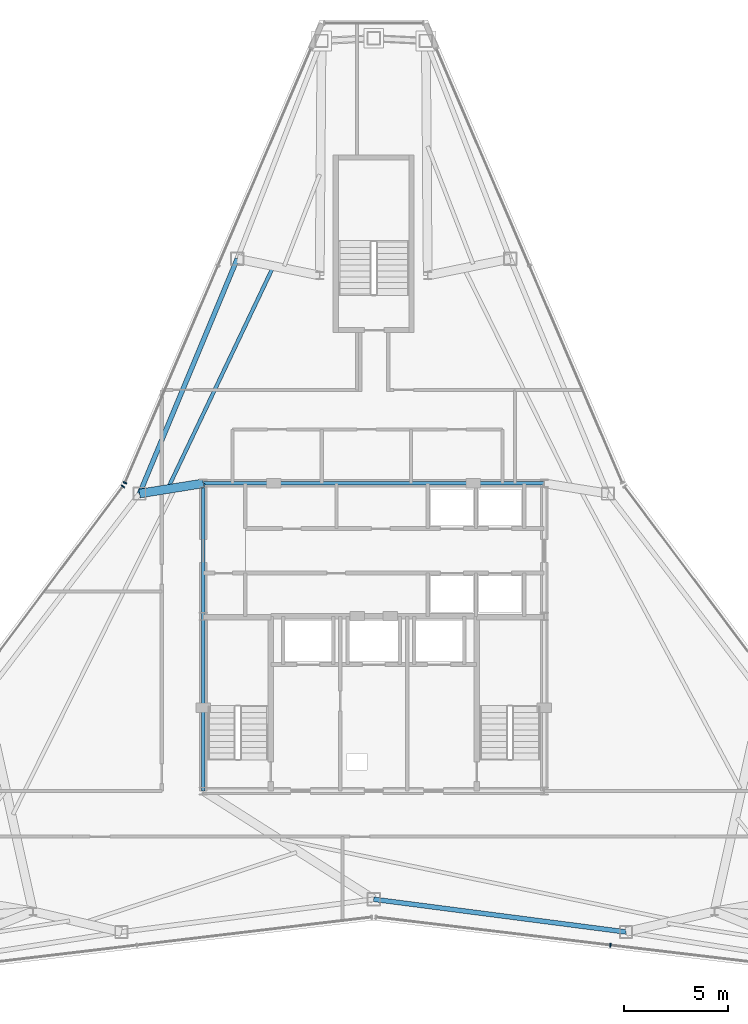
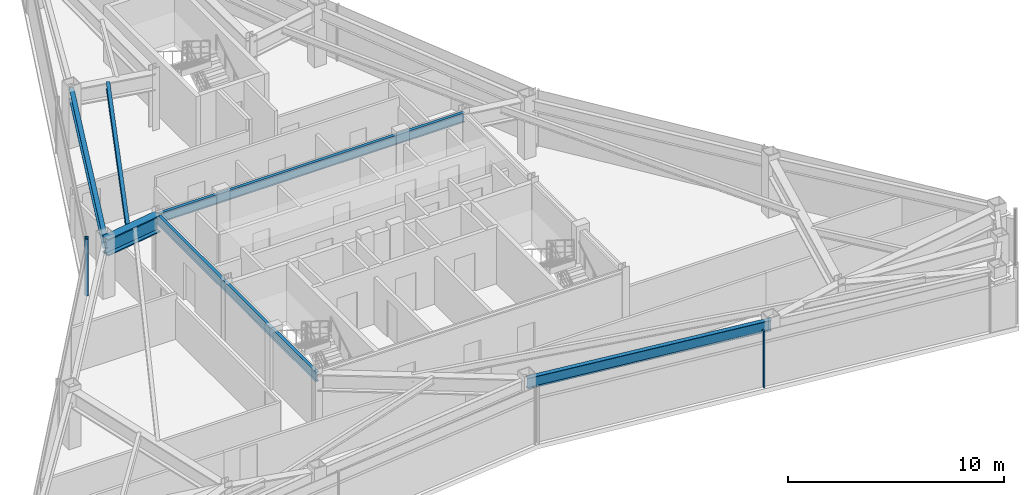
# One storey, part 5 of 12: 6 beams, 3 members, 3 elements without a shape of their own.
"""IFC4 building model written with IfcOpenShell, lengths in metres."""

from ifc_helpers import new_model, si_unit, direction, frame, origin, origin_2d, place, context, subcontext, project, spatial, rectangle, i_section, extrude, source, transform, mapped, material, layer, layer_set, material_profile, profile_set, type_object, type_shapes, element, aggregate, save


model = new_model("IFC4")

# Units and contexts
model_context = context("Model", 3, precision=1e-05, world=origin(), true_north=direction((0.0, 1.0)))
body_context = subcontext(model_context, "Body", "Model", "MODEL_VIEW")
ifc_project = project(units=[si_unit("LENGTHUNIT", "METRE"), si_unit("AREAUNIT", "SQUARE_METRE"), si_unit("VOLUMEUNIT", "CUBIC_METRE"), si_unit("PLANEANGLEUNIT", "RADIAN"), si_unit("MASSUNIT", "GRAM", prefix="KILO")], contexts=[model_context])

# Site, building, storey
site_placement = place(None, origin())
site = spatial("IfcSite", under=ifc_project, at=site_placement, CompositionType="ELEMENT")
building_placement = place(site_placement, origin())
building = spatial("IfcBuilding", under=site, at=building_placement, Name="Varakhsha Concourse Tower", CompositionType="ELEMENT")
storey_placement = place(building_placement, frame((0.0, 0.0, 286.5)))
storey = spatial("IfcBuildingStorey", under=building, at=storey_placement, Name="L81", CompositionType="ELEMENT", Elevation=286.5)

# Beams
ifc_material_1 = material(Name="Structural Steel ASTM A992 Grade 50", Category="steel")
ifc_material_profile_1 = material_profile(ifc_material_1, i_section(OverallWidth=0.177978515625, OverallDepth=0.406982421875, WebThickness=0.008056640625, FlangeThickness=0.012939453125, at=origin_2d()), Name="W16X40")
ifc_profile_set_1 = profile_set([ifc_material_profile_1], Name="Structural Steel ASTM A992 Grade 50")
beam_type_1 = type_object("IfcBeamType", Name="BM-JST-W16X40", PredefinedType="JOIST", material=ifc_profile_set_1)
beam_1_placement = place(storey_placement, frame((35.13232421875, 41.553466796875, 2.99658203125), z_axis=(-0.429292148755, -0.903165683038, 0.0), x_axis=(0.903165683038, -0.429292148755, 0.0)))
element("IfcBeam", 1, at=beam_1_placement, inside=storey, type_object=beam_type_1, Name="BM-TJST-L81-04", PredefinedType="JOIST", context=body_context, shape_type="SweptSolid", body=[
    extrude(i_section(OverallWidth=0.177978515625, OverallDepth=0.406982421875, WebThickness=0.008056640625, FlangeThickness=0.012939453125, at=origin_2d()), origin(), (0.0, 0.0, 1.0), 11.658935546875),
])
ifc_material_profile_2 = material_profile(ifc_material_1, i_section(OverallWidth=0.423095703125, OverallDepth=0.947998046875, WebThickness=0.0380859375, FlangeThickness=0.06396484375, at=origin_2d()), Name="W36X302")
ifc_profile_set_2 = profile_set([ifc_material_profile_2], Name="Structural Steel ASTM A992 Grade 50")
beam_type_2 = type_object("IfcBeamType", Name="BM-OUTR-W36X302", PredefinedType="USERDEFINED", material=ifc_profile_set_2)
beam_2_placement = place(storey_placement, frame((31.800048828125, 31.199951171875, 2.72607421875), z_axis=(-0.987389151681, -0.158311917245, 0.0), x_axis=(0.158311917245, -0.987389151681, 0.0)))
element("IfcBeam", 2, at=beam_2_placement, inside=storey, type_object=beam_type_2, Name="L81 Radial Floor Girder 05", ObjectType="GIRDER", PredefinedType="USERDEFINED", context=body_context, shape_type="SweptSolid", body=[
    extrude(i_section(OverallWidth=0.423095703125, OverallDepth=0.947998046875, WebThickness=0.0380859375, FlangeThickness=0.06396484375, at=origin_2d()), origin(), (0.0, 0.0, 1.0), 3.110595703125),
])
ifc_material_profile_3 = material_profile(ifc_material_1, i_section(OverallWidth=0.1669921875, OverallDepth=0.534912109375, WebThickness=0.010009765625, FlangeThickness=0.01708984375, at=origin_2d()), Name="W21X57")
ifc_profile_set_3 = profile_set([ifc_material_profile_3], Name="Structural Steel ASTM A992 Grade 50")
beam_type_3 = type_object("IfcBeamType", Name="BM-RAD-W21X57", PredefinedType="BEAM", material=ifc_profile_set_3)
beam_3_placement = place(storey_placement, frame((31.800048828125, 31.199951171875, 2.9326171875), z_axis=(1.0, 0.0, 0.0), x_axis=(0.0, 1.0, 0.0)))
element("IfcBeam", 3, at=beam_3_placement, inside=storey, type_object=beam_type_3, Name="BM-TCORE-L81-CN", PredefinedType="BEAM", context=body_context, shape_type="SweptSolid", body=[
    extrude(i_section(OverallWidth=0.1669921875, OverallDepth=0.534912109375, WebThickness=0.010009765625, FlangeThickness=0.01708984375, at=origin_2d()), origin(), (0.0, 0.0, 1.0), 16.39990234375),
])
beam_4_placement = place(storey_placement, frame((31.800048828125, 16.39990234375, 2.9326171875), z_axis=(0.0, 1.0, 0.0), x_axis=(-1.0, 0.0, 0.0)))
element("IfcBeam", 4, at=beam_4_placement, inside=storey, type_object=beam_type_3, Name="BM-TCORE-L81-CW", PredefinedType="BEAM", context=body_context, shape_type="SweptSolid", body=[
    extrude(i_section(OverallWidth=0.1669921875, OverallDepth=0.534912109375, WebThickness=0.010009765625, FlangeThickness=0.01708984375, at=origin_2d()), origin(), (0.0, 0.0, 1.0), 14.800048828125),
])
ifc_material_profile_4 = material_profile(ifc_material_1, i_section(OverallWidth=0.22900390625, OverallDepth=0.612060546875, WebThickness=0.011962890625, FlangeThickness=0.02001953125, at=origin_2d()), Name="W24X84")
ifc_profile_set_4 = profile_set([ifc_material_profile_4], Name="Structural Steel ASTM A992 Grade 50")
beam_type_4 = type_object("IfcBeamType", Name="BM-SPAN-W24X84", PredefinedType="SPANDREL", material=ifc_profile_set_4)
for number, where, z_axis, x_axis, name in (
    (5, (33.43505859375, 42.008544921875, 2.89404296875), (-0.38444403214, -0.923148301278, 0.0), (0.923148301278, -0.38444403214, 0.0), "BM-SPAN-L81-04"),
    (6, (40.0, 11.18505859375, 2.89404296875), (0.991692239346, -0.12863320886, 0.0), (0.12863320886, 0.991692239346, 0.0), "BM-SPAN-L81-11"),
):
    element("IfcBeam", number, at=place(storey_placement, frame(where, z_axis=z_axis, x_axis=x_axis)), inside=storey, type_object=beam_type_4, Name=name, PredefinedType="SPANDREL", context=body_context, shape_type="SweptSolid", body=[
        extrude(i_section(OverallWidth=0.22900390625, OverallDepth=0.612060546875, WebThickness=0.011962890625, FlangeThickness=0.02001953125, at=origin_2d()), origin(), (0.0, 0.0, 1.0), 12.241943359375),
    ])

# Curtain wall, member
ifc_material_2 = material(Name="Anodised Bronze Architectural Aluminium AA 6063-T6", Category="aluminium")
ifc_layer = layer(ifc_material_2, 0.199951171875, Name="CW-SYS-05")
ifc_layer_set = layer_set([ifc_layer], Name="Anodised Bronze Architectural Aluminium AA 6063-T6")
curtain_wall_type = type_object("IfcCurtainWallType", Name="CW-SYS-05", PredefinedType="NOTDEFINED", material=ifc_layer_set)
curtain_wall_1_placement = place(storey_placement, origin())
curtain_wall_1 = element("IfcCurtainWall", 7, at=curtain_wall_1_placement, inside=storey, type_object=curtain_wall_type, Name="L81 Crystal Curtain Wall F2", PredefinedType="NOTDEFINED")
ifc_material_profile_5 = material_profile(ifc_material_2, rectangle(XDim=0.06494140625, YDim=0.179931640625, at=origin_2d()), Name="CWM-180X65")
ifc_profile_set_5 = profile_set([ifc_material_profile_5], Name="Anodised Bronze Architectural Aluminium AA 6063-T6")
member_type = type_object("IfcMemberType", Name="CWM-180X65", PredefinedType="MULLION", material=ifc_profile_set_5)
shared_shape = source(origin(), body_context, "Body", "SweptSolid", [
    extrude(rectangle(XDim=0.06494140625, YDim=0.179931640625, at=origin_2d()), origin(), (0.0, 0.0, 1.0), 3.199951171875),
])
type_shapes(member_type, [shared_shape])
member_1_placement = place(storey_placement, frame((28.031005859375, 31.22412109375, 0.0), z_axis=(0.0, 0.0, 1.0), x_axis=(0.393839238731, 0.919179337255, 0.0)))
member_1 = element("IfcMember", 8, at=member_1_placement, type_object=member_type, Name="CW-L81-F2 Mullion 00", PredefinedType="MULLION", context=body_context, shape_type="MappedRepresentation", body=[
    mapped(shared_shape, transform((0.0, 0.0, 0.0), scale=1.0)),
])
aggregate(curtain_wall_1, [member_1])

curtain_wall_2_placement = place(storey_placement, origin())
curtain_wall_2 = element("IfcCurtainWall", 9, at=curtain_wall_2_placement, inside=storey, type_object=curtain_wall_type, Name="L81 Crystal Curtain Wall F3", PredefinedType="NOTDEFINED")
member_2_placement = place(storey_placement, frame((27.9326171875, 31.0537109375, 0.0), z_axis=(0.0, 0.0, 1.0), x_axis=(0.599113037331, 0.800664454375, 0.0)))
member_2 = element("IfcMember", 10, at=member_2_placement, type_object=member_type, Name="CW-L81-F3 Mullion 02", PredefinedType="MULLION", context=body_context, shape_type="MappedRepresentation", body=[
    mapped(shared_shape, transform((0.0, 0.0, 0.0), scale=1.0)),
])
aggregate(curtain_wall_2, [member_2])

curtain_wall_3_placement = place(storey_placement, origin())
curtain_wall_3 = element("IfcCurtainWall", 11, at=curtain_wall_3_placement, inside=storey, type_object=curtain_wall_type, Name="L81 Crystal Curtain Wall F6", PredefinedType="NOTDEFINED")
member_3_placement = place(storey_placement, frame((51.389404296875, 8.974853515625, 0.0), z_axis=(0.0, 0.0, 1.0), x_axis=(-0.992952482908, 0.118513149851, 0.0)))
member_3 = element("IfcMember", 12, at=member_3_placement, type_object=member_type, Name="CW-L81-F6 Mullion 01", PredefinedType="MULLION", context=body_context, shape_type="MappedRepresentation", body=[
    mapped(shared_shape, transform((0.0, 0.0, 0.0), scale=1.0)),
])
aggregate(curtain_wall_3, [member_3])

save(model, "model.ifc")
